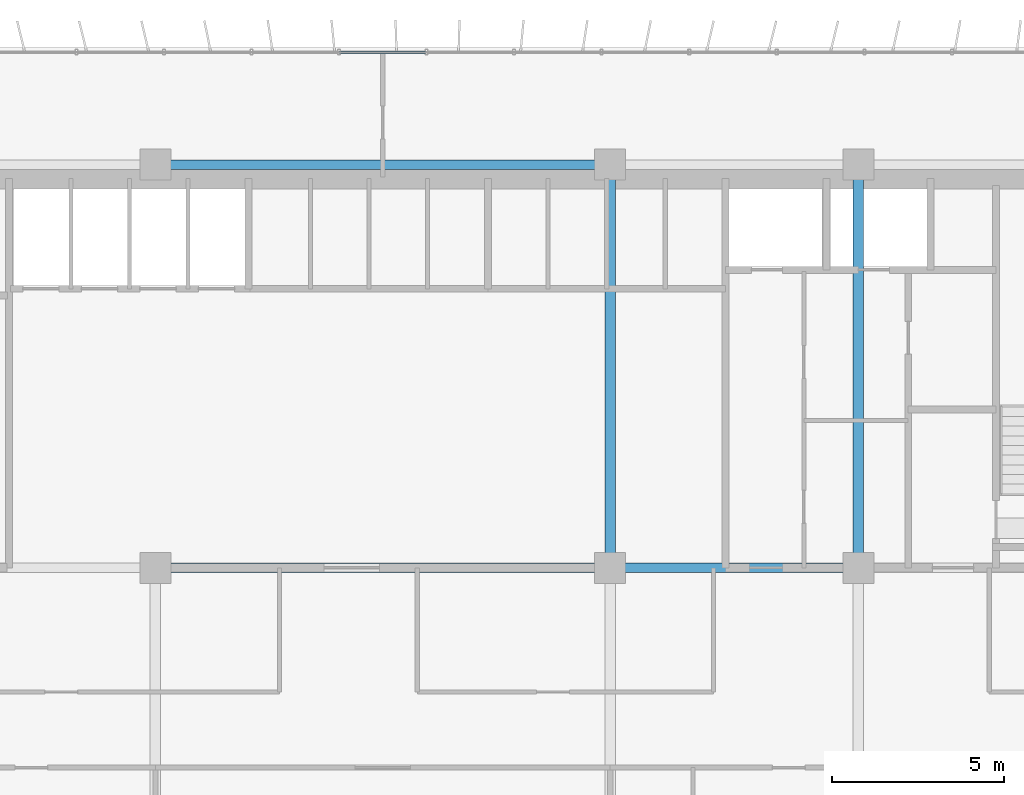
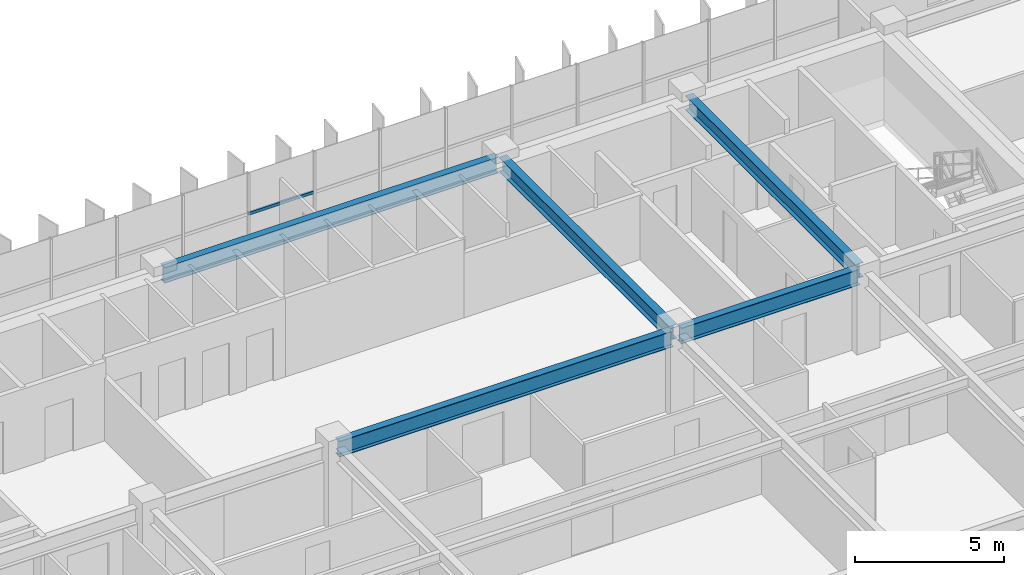
# One storey, part 12 of 25: 5 beams, 1 member, 1 element without a shape of its own.
"""IFC4 building model written with IfcOpenShell, lengths in metres."""

from ifc_helpers import new_model, si_unit, direction, frame, origin, origin_2d, place, context, subcontext, project, spatial, hollow_rectangle, i_section, extrude, source, transform, mapped, material, material_profile, profile_set, type_object, element, aggregate, save


model = new_model("IFC4")

# Units and contexts
model_context = context("Model", 3, precision=1e-05, world=origin(), true_north=direction((0.0, 1.0)))
body_context = subcontext(model_context, "Body", "Model", "MODEL_VIEW")
ifc_project = project(units=[si_unit("LENGTHUNIT", "METRE"), si_unit("AREAUNIT", "SQUARE_METRE"), si_unit("VOLUMEUNIT", "CUBIC_METRE"), si_unit("PLANEANGLEUNIT", "RADIAN"), si_unit("MASSUNIT", "GRAM", prefix="KILO")], contexts=[model_context])

# Site, building, storey
site_placement = place(None, origin())
site = spatial("IfcSite", under=ifc_project, at=site_placement, CompositionType="ELEMENT")
building_placement = place(site_placement, origin())
building = spatial("IfcBuilding", under=site, at=building_placement, Name="Trelvane Seafront Commons", CompositionType="ELEMENT")
storey_placement = place(building_placement, frame((0.0, 0.0, 70.300048828125)))
storey = spatial("IfcBuildingStorey", under=building, at=storey_placement, Name="L18", CompositionType="ELEMENT", Elevation=70.300048828125)

# Beams
ifc_material_1 = material(Name="Steel SM355 (S355)", Category="steel")
ifc_material_profile_1 = material_profile(ifc_material_1, i_section(OverallWidth=0.280029296875, OverallDepth=0.64990234375, WebThickness=0.012939453125, FlangeThickness=0.02197265625, at=origin_2d()), Name="H-650x280x13x22")
ifc_profile_set_1 = profile_set([ifc_material_profile_1], Name="Steel SM355 (S355)")
beam_type_1 = type_object("IfcBeamType", Name="STR-BM-H650", PredefinedType="BEAM", material=ifc_profile_set_1)
shared_shape_1 = source(origin(), body_context, "Body", "SweptSolid", [
    extrude(i_section(OverallWidth=0.280029296875, OverallDepth=0.64990234375, WebThickness=0.012939453125, FlangeThickness=0.02197265625, at=origin_2d()), origin(), (0.0, 0.0, 1.0), 12.89990234375),
])
for number, where, z_axis, x_axis, name in (
    (1, (30.75, 33.39990234375, 2.89501953125), (1.0, 0.0, 0.0), (0.0, 1.0, 0.0), "L18 Primary Girder G-23"),
    (2, (30.75, 45.10009765625, 2.89501953125), (1.0, 0.0, 0.0), (0.0, 1.0, 0.0), "L18 Primary Girder G-32"),
):
    element("IfcBeam", number, at=place(storey_placement, frame(where, z_axis=z_axis, x_axis=x_axis)), inside=storey, type_object=beam_type_1, Name=name, PredefinedType="BEAM", context=body_context, shape_type="MappedRepresentation", body=[
        mapped(shared_shape_1, transform((0.0, 0.0, 0.0), x_axis=(1.0, 0.0, 0.0), y_axis=(0.0, 1.0, 0.0), z_axis=(0.0, 0.0, 1.0), scale=1.0)),
    ])
shared_shape_2 = source(origin(), body_context, "Body", "SweptSolid", [
    extrude(i_section(OverallWidth=0.280029296875, OverallDepth=0.64990234375, WebThickness=0.012939453125, FlangeThickness=0.02197265625, at=origin_2d()), origin(), (0.0, 0.0, 1.0), 6.900146484375),
])
beam_placement = place(storey_placement, frame((43.949951171875, 33.39990234375, 2.89501953125), z_axis=(1.0, 0.0, 0.0), x_axis=(0.0, 1.0, 0.0)))
element("IfcBeam", 3, at=beam_placement, inside=storey, type_object=beam_type_1, Name="L18 Primary Girder G-24", PredefinedType="BEAM", context=body_context, shape_type="MappedRepresentation", body=[
    mapped(shared_shape_2, transform((0.0, 0.0, 0.0), x_axis=(1.0, 0.0, 0.0), y_axis=(0.0, 1.0, 0.0), z_axis=(0.0, 0.0, 1.0), scale=1.0)),
])
ifc_material_profile_2 = material_profile(ifc_material_1, i_section(OverallWidth=0.300048828125, OverallDepth=0.587890625, WebThickness=0.011962890625, FlangeThickness=0.02001953125, at=origin_2d()), Name="H-588x300x12x20")
ifc_profile_set_2 = profile_set([ifc_material_profile_2], Name="Steel SM355 (S355)")
beam_type_2 = type_object("IfcBeamType", Name="STR-BM-H588", PredefinedType="BEAM", material=ifc_profile_set_2)
shared_shape_3 = source(origin(), body_context, "Body", "SweptSolid", [
    extrude(i_section(OverallWidth=0.300048828125, OverallDepth=0.587890625, WebThickness=0.011962890625, FlangeThickness=0.02001953125, at=origin_2d()), origin(), (0.0, 0.0, 1.0), 11.39990234375),
])
for number, where, z_axis, x_axis, name in (
    (4, (43.800048828125, 33.550048828125, 2.926025390625), (0.0, 1.0, 0.0), (-1.0, 0.0, 0.0), "L18 Primary Girder G-54"),
    (5, (51.0, 33.550048828125, 2.926025390625), (0.0, 1.0, 0.0), (-1.0, 0.0, 0.0), "L18 Primary Girder G-57"),
):
    element("IfcBeam", number, at=place(storey_placement, frame(where, z_axis=z_axis, x_axis=x_axis)), inside=storey, type_object=beam_type_2, Name=name, PredefinedType="BEAM", context=body_context, shape_type="MappedRepresentation", body=[
        mapped(shared_shape_3, transform((0.0, 0.0, 0.0), x_axis=(1.0, 0.0, 0.0), y_axis=(0.0, 1.0, 0.0), z_axis=(0.0, 0.0, 1.0), scale=1.0)),
    ])

# Curtain wall, member
ifc_material_2 = material(Name="Anodised pale-silver aluminium", Category="aluminium")
curtain_wall_type = type_object("IfcCurtainWallType", Name="ARCH-CW2-LOWTOWER", PredefinedType="NOTDEFINED", material=ifc_material_2)
curtain_wall_placement = place(storey_placement, origin())
curtain_wall = element("IfcCurtainWall", 6, at=curtain_wall_placement, inside=storey, type_object=curtain_wall_type, Name="CW-L18-0043", PredefinedType="NOTDEFINED")
ifc_material_profile_3 = material_profile(ifc_material_2, hollow_rectangle(XDim=0.070068359375, YDim=0.1201171875, WallThickness=0.00390625, at=origin_2d()), Name="TRAN-70x120x4")
ifc_profile_set_3 = profile_set([ifc_material_profile_3], Name="Anodised pale-silver aluminium")
member_type = type_object("IfcMemberType", Name="ARCH-CW-TRAN-120", PredefinedType="USERDEFINED", material=ifc_profile_set_3)
shared_shape_4 = source(origin(), body_context, "Body", "SweptSolid", [
    extrude(hollow_rectangle(XDim=0.070068359375, YDim=0.1201171875, WallThickness=0.00390625, at=origin_2d()), origin(), (0.0, 0.0, 1.0), 2.51708984375),
])
member_placement = place(storey_placement, frame((35.94140625, 48.3701171875, 1.5458984375), z_axis=(1.0, 0.0, 0.0), x_axis=(0.0, 1.0, 0.0)))
member = element("IfcMember", 7, at=member_placement, type_object=member_type, Name="CW-L18-0043-T08", ObjectType="TRANSOM", PredefinedType="USERDEFINED", context=body_context, shape_type="MappedRepresentation", body=[
    mapped(shared_shape_4, transform((0.0, 0.0, 0.0), x_axis=(1.0, 0.0, 0.0), y_axis=(0.0, 1.0, 0.0), z_axis=(0.0, 0.0, 1.0), scale=1.0)),
])
aggregate(curtain_wall, [member])

save(model, "model.ifc")
